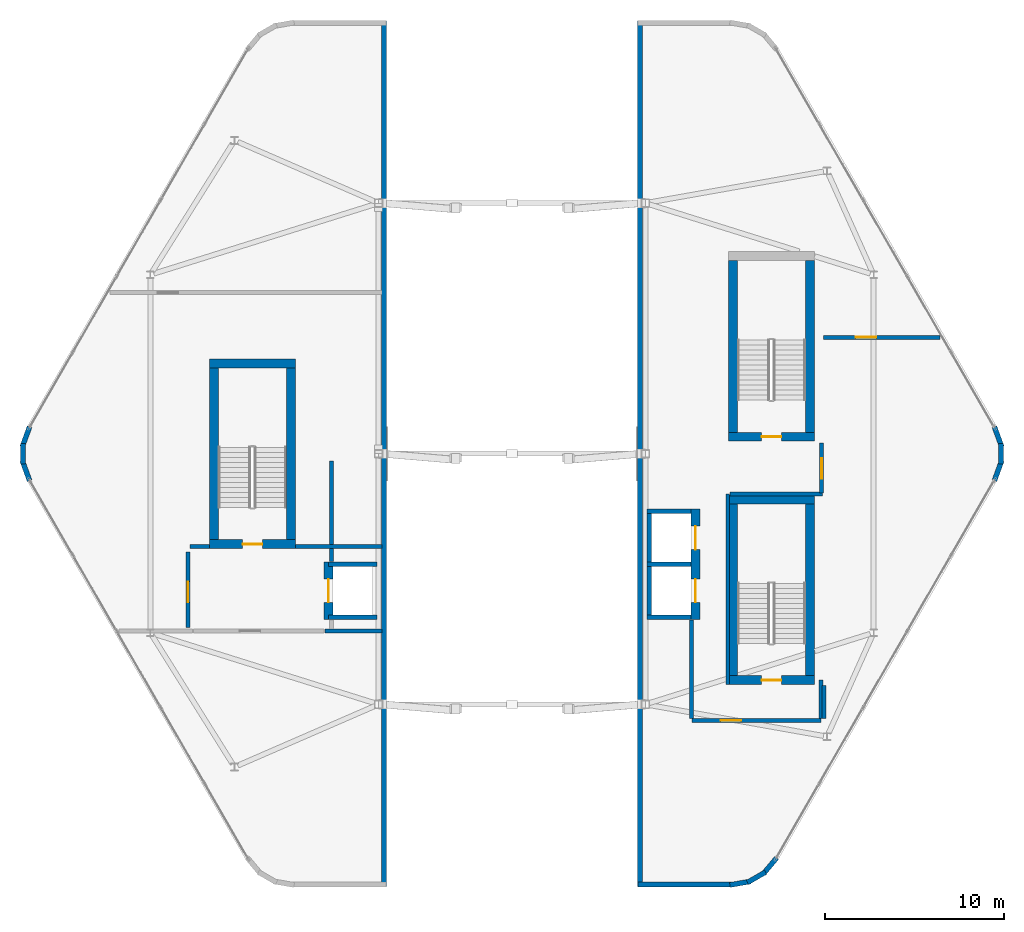
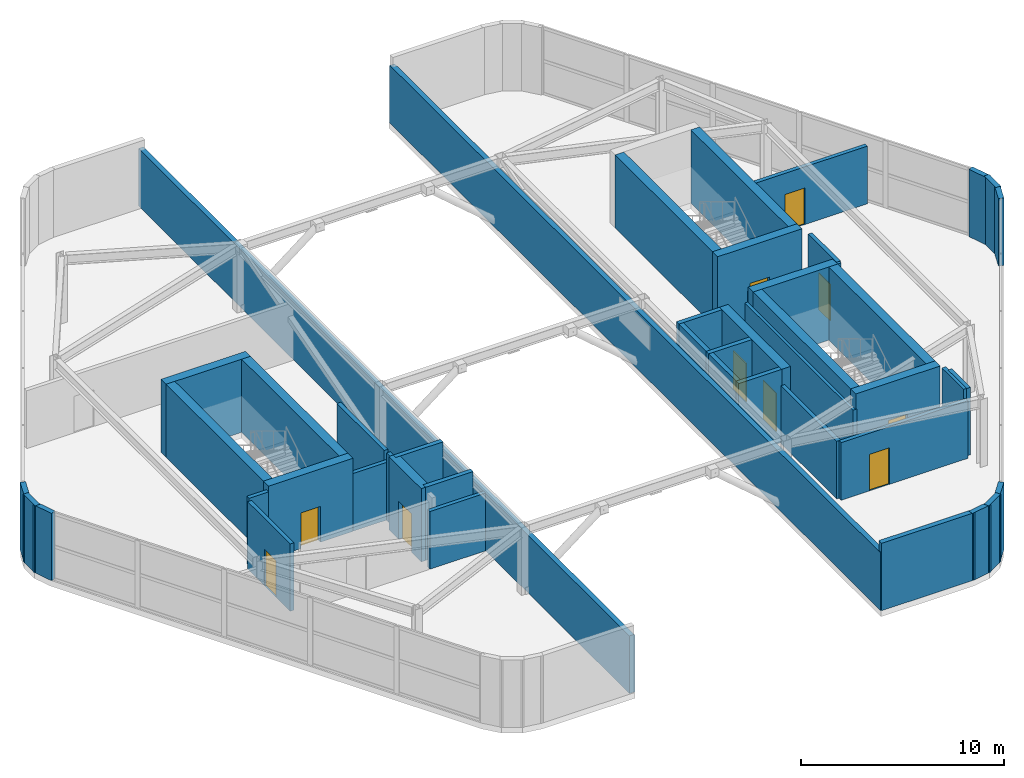
# One storey, part 14 of 16: 46 walls, 10 doors, 10 openings.
"""IFC4 building model written with IfcOpenShell, lengths in metres."""

import ifcopenshell
import ifcopenshell.guid

model = None  # the IFC model being written
_history = None  # IfcOwnerHistory: only IFC2X3 demands one
_inside = {}  # id of a spatial element -> (the spatial element, [elements in it])
_under = {}  # id of a project, library or spatial element -> (it, [spatial elements below it])
_declared = {}  # id of a project -> (the project, [libraries it declares])
_typed = {}  # id of a type object -> (the type object, [elements of that type])
_made_of = {}  # id of a material, layer set ... -> (it, [elements and type objects made of it])


def new_model(schema):
    """Start an empty IFC model of exactly this schema.

    Asked for "IFC4X3", IfcOpenShell would pick the latest addendum, in which some entities
    have other attributes; the version numbers below select the first issue.
    IFC2X3 requires an IfcOwnerHistory on every rooted entity: one is made here for all.
    """
    global model, _history
    if schema == "IFC4X3":
        model = ifcopenshell.file(schema_version=(4, 3, 0, 0))
    else:
        model = ifcopenshell.file(schema=schema)
    _inside.clear()
    _under.clear()
    _declared.clear()
    _typed.clear()
    _made_of.clear()
    _history = None
    if model.schema == "IFC2X3":
        org = make("IfcOrganization", Name="unknown")
        user = make(
            "IfcPersonAndOrganization",
            ThePerson=make("IfcPerson", FamilyName="unknown"),
            TheOrganization=org,
        )
        app = make(
            "IfcApplication",
            ApplicationDeveloper=org,
            Version="unknown",
            ApplicationFullName="unknown",
            ApplicationIdentifier="unknown",
        )
        _history = make(
            "IfcOwnerHistory",
            OwningUser=user,
            OwningApplication=app,
            ChangeAction="ADDED",
            CreationDate=0,
        )
    return model


def make(cls, **values):
    """One entity of the class cls with the attributes given. An attribute that is None is left unset."""
    return model.create_entity(
        cls, **{name: value for name, value in values.items() if value is not None}
    )


def rooted(cls, **values):
    """An entity with a GlobalId (a new one), such as an element, a storey or a relation."""
    return make(cls, GlobalId=ifcopenshell.guid.new(), OwnerHistory=_history, **values)


def si_unit(unit_type, name, prefix=None):
    """IfcSIUnit, for example si_unit("LENGTHUNIT", "METRE", prefix="MILLI")."""
    return make("IfcSIUnit", UnitType=unit_type, Prefix=prefix, Name=name)


def assignment(units):
    """IfcUnitAssignment: the units of a project."""
    return None if units is None else make("IfcUnitAssignment", Units=units)


def point(xyz):
    """IfcCartesianPoint."""
    return None if xyz is None else make("IfcCartesianPoint", Coordinates=xyz)


def direction(xyz):
    """IfcDirection."""
    return None if xyz is None else make("IfcDirection", DirectionRatios=xyz)


def frame(location, z_axis=None, x_axis=None):
    """IfcAxis2Placement3D, a coordinate frame: its origin and axes. An axis left out is left unset."""
    return make(
        "IfcAxis2Placement3D",
        Location=point(location),
        Axis=direction(z_axis),
        RefDirection=direction(x_axis),
    )


def frame_2d(location, x_axis=None):
    """IfcAxis2Placement2D, a coordinate frame in the plane: its origin and x axis."""
    return make(
        "IfcAxis2Placement2D", Location=point(location), RefDirection=direction(x_axis)
    )


def origin():
    """The frame at (0, 0, 0) with its axes left unset."""
    return frame((0.0, 0.0, 0.0))


def place(relative_to, where):
    """IfcLocalPlacement: puts the frame where relative to a parent placement (None: the world)."""
    return make(
        "IfcLocalPlacement", PlacementRelTo=relative_to, RelativePlacement=where
    )


def context(
    kind, dimensions, precision=None, world=None, true_north=None, identifier=None
):
    """IfcGeometricRepresentationContext, for example the 3D "Model" context."""
    return make(
        "IfcGeometricRepresentationContext",
        ContextIdentifier=identifier,
        ContextType=kind,
        CoordinateSpaceDimension=dimensions,
        Precision=precision,
        WorldCoordinateSystem=world,
        TrueNorth=true_north,
    )


def subcontext(parent, identifier, kind, view, scale=None):
    """IfcGeometricRepresentationSubContext, for example "Body" below "Model"."""
    return make(
        "IfcGeometricRepresentationSubContext",
        ContextIdentifier=identifier,
        ContextType=kind,
        ParentContext=parent,
        TargetScale=scale,
        TargetView=view,
    )


def project(units=None, contexts=None):
    """IfcProject with its units and contexts."""
    return rooted(
        "IfcProject",
        Name="project",
        RepresentationContexts=contexts,
        UnitsInContext=assignment(units),
    )


def spatial(cls, under=None, at=None, **own):
    """A site, building, storey or space (cls), placed at a placement, below another one or the project."""
    s = rooted(cls, ObjectPlacement=at, **own)
    if under is not None:
        _under.setdefault(under.id(), (under, []))[1].append(s)
    return s


def profile(cls, at=None, kind="AREA", **sizes):
    """A parametric profile (cls). Its sizes go by their IFC names, for example OverallWidth=200.0."""
    return make(cls, ProfileType=kind, Position=at, **sizes)


def rectangle(**sizes):
    """IfcRectangleProfileDef."""
    return profile("IfcRectangleProfileDef", **sizes)


def extrude(swept, where, along, depth):
    """IfcExtrudedAreaSolid: the profile swept, set in the frame where, extruded along a direction by depth."""
    return make(
        "IfcExtrudedAreaSolid",
        SweptArea=swept,
        Position=where,
        ExtrudedDirection=direction(along),
        Depth=depth,
    )


def shape(context_of_items, identifier, shape_type, items):
    """IfcShapeRepresentation: the items that make up one representation, for example the "Body"."""
    return make(
        "IfcShapeRepresentation",
        ContextOfItems=context_of_items,
        RepresentationIdentifier=identifier,
        RepresentationType=shape_type,
        Items=items,
    )


def material(Name=None, Category=None):
    """IfcMaterial."""
    return make("IfcMaterial", Name=Name, Category=Category)


def layer(
    of_material, thickness, ventilated=None, Name=None, Category=None, Priority=None
):
    """IfcMaterialLayer: one layer of a wall or slab, of a material (None: an air gap)."""
    return make(
        "IfcMaterialLayer",
        Material=of_material,
        LayerThickness=thickness,
        IsVentilated=ventilated,
        Name=Name,
        Category=Category,
        Priority=Priority,
    )


def layer_set(layers, Name=None):
    """IfcMaterialLayerSet."""
    return make("IfcMaterialLayerSet", MaterialLayers=layers, LayerSetName=Name)


def made_of(thing, what):
    """Note that an element or type object is made of a material, layer set ...; save() writes the relation."""
    if what is not None:
        _made_of.setdefault(what.id(), (what, []))[1].append(thing)
    return thing


def type_object(cls, material=None, **own):
    """A type object (cls), such as IfcWallType, which elements share."""
    return made_of(rooted(cls, **own), material)


def element(
    cls,
    number,
    at=None,
    inside=None,
    cuts=None,
    type_object=None,
    material=None,
    context=None,
    identifier="Body",
    shape_type=None,
    held_by="IfcProductDefinitionShape",
    body=None,
    shapes=None,
    **own,
):
    """One element of the class cls, such as IfcWall. Its Tag is "e" and its number.

    at: its placement. inside: the storey or other place that contains it. cuts: it is an
    opening in that element (IfcRelVoidsElement). A single representation is given by context,
    identifier, shape_type and body (its items); several are given by shapes. held_by: the class
    of the entity that holds the representations. save() writes the other relations.
    """
    e = rooted(cls, Tag="e%d" % number, ObjectPlacement=at, **own)
    if body is not None:
        shapes = [shape(context, identifier, shape_type, body)]
    if shapes is not None:
        e.Representation = make(held_by, Representations=shapes)
    if inside is not None:
        _inside.setdefault(inside.id(), (inside, []))[1].append(e)
    if cuts is not None:
        rooted(
            "IfcRelVoidsElement", RelatingBuildingElement=cuts, RelatedOpeningElement=e
        )
    if type_object is not None:
        _typed.setdefault(type_object.id(), (type_object, []))[1].append(e)
    return made_of(e, material)


def fill(opening, filler):
    """IfcRelFillsElement: the door or window that sits in an opening."""
    return rooted(
        "IfcRelFillsElement",
        RelatingOpeningElement=opening,
        RelatedBuildingElement=filler,
    )


def aggregate(whole, parts):
    """IfcRelAggregates: a whole, such as a stair, and the parts it consists of."""
    return rooted("IfcRelAggregates", RelatingObject=whole, RelatedObjects=parts)


def save(model, path):
    """Write the relations noted so far, then the file.

    IfcRelAggregates (storeys below a building ...), IfcRelContainedInSpatialStructure (elements
    in a storey), IfcRelDefinesByType, IfcRelAssociatesMaterial and IfcRelDeclares: one each for
    every whole, place, type object, material and project.
    """
    for whole, parts in _under.values():
        aggregate(whole, parts)
    for where, things in _inside.values():
        rooted(
            "IfcRelContainedInSpatialStructure",
            RelatedElements=things,
            RelatingStructure=where,
        )
    for kind, things in _typed.values():
        rooted("IfcRelDefinesByType", RelatedObjects=things, RelatingType=kind)
    for what, things in _made_of.values():
        rooted("IfcRelAssociatesMaterial", RelatedObjects=things, RelatingMaterial=what)
    for by, libraries in _declared.values():
        rooted("IfcRelDeclares", RelatingContext=by, RelatedDefinitions=libraries)
    model.write(path)


model = new_model("IFC4")

# Units and contexts
model_context = context("Model", 3, precision=1e-05, world=origin(), true_north=direction((0.0, 1.0)))
body_context = subcontext(model_context, "Body", "Model", "MODEL_VIEW")
ifc_project = project(units=[si_unit("LENGTHUNIT", "METRE"), si_unit("AREAUNIT", "SQUARE_METRE"), si_unit("VOLUMEUNIT", "CUBIC_METRE"), si_unit("PLANEANGLEUNIT", "RADIAN"), si_unit("MASSUNIT", "GRAM", prefix="KILO")], contexts=[model_context])

# Site, building, storey
site_placement = place(None, origin())
site = spatial("IfcSite", under=ifc_project, at=site_placement, CompositionType="ELEMENT")
building_placement = place(site_placement, origin())
building = spatial("IfcBuilding", under=site, at=building_placement, Name="Zuhravey Tower", CompositionType="ELEMENT")
storey_placement = place(building_placement, frame((0.0, 0.0, 370.199951171875)))
storey = spatial("IfcBuildingStorey", under=building, at=storey_placement, Name="L94", CompositionType="ELEMENT", Elevation=370.199951171875)

# Wall, opening, door
ifc_material_1 = material(Name="Concrete C50/60", Category="concrete")
ifc_layer_1 = layer(ifc_material_1, 0.5)
ifc_layer_set_1 = layer_set([ifc_layer_1], Name="Concrete C50/60")
wall_type_1 = type_object("IfcWallType", Name="Core Shear Wall 500", PredefinedType="SHEAR", material=ifc_layer_set_1)
wall_1_placement = place(storey_placement, frame((19.10009765625, 26.949951171875, 0.0), z_axis=(0.0, 0.0, 1.0), x_axis=(1.0, 0.0, 0.0)))
wall_1 = element("IfcWall", 1, at=wall_1_placement, inside=storey, type_object=wall_type_1, Name="L94 CST1 South Shaft Wall", PredefinedType="SHEAR", context=body_context, shape_type="SweptSolid", body=[
    extrude(rectangle(XDim=4.7998046875, YDim=0.5, at=frame_2d((2.39990234375, 0.0))), origin(), (0.0, 0.0, 1.0), 4.400146484375),
])
opening_1_placement = place(wall_1_placement, frame((1.85009765625, 0.0, 0.0)))
opening_1 = element("IfcOpeningElement", 2, at=opening_1_placement, cuts=wall_1, Name="Opening STD1", PredefinedType="OPENING", context=body_context, shape_type="SweptSolid", body=[
    extrude(rectangle(XDim=1.10009765625, YDim=2.14990234375, at=frame_2d((0.550048828125, 1.074951171875))), frame((0.0, 0.261962890625, 0.0), z_axis=(0.0, -1.0, 0.0), x_axis=(1.0, 0.0, 0.0)), (0.0, 0.0, 1.0), 0.52392578125),
])
ifc_material_2 = material(Name="Galvanised fire-rated steel leaf", Category="steel")
door_type_1 = type_object("IfcDoorType", Name="Protected Stair Fire Door 1100x2150", OperationType="NOTDEFINED", PredefinedType="USERDEFINED", material=ifc_material_2)
door_1_placement = place(opening_1_placement, origin())
door_1 = element("IfcDoor", 3, at=door_1_placement, inside=storey, type_object=door_type_1, Name="L94 CST1 Door", ObjectType="EXITDOOR", OperationType="SINGLE_SWING_RIGHT", OverallHeight=2.14990234375, OverallWidth=1.10009765625, PredefinedType="USERDEFINED", context=body_context, shape_type="SweptSolid", body=[
    extrude(rectangle(XDim=1.10009765625, YDim=2.14990234375, at=frame_2d((0.550048828125, 1.074951171875))), frame((0.0, 0.02490234375, 0.0), z_axis=(0.0, -1.0, 0.0), x_axis=(1.0, 0.0, 0.0)), (0.0, 0.0, 1.0), 0.050048828125),
])
fill(opening_1, door_1)

# Walls
wall_2_placement = place(storey_placement, frame((23.89990234375, 37.050048828125, 0.0), z_axis=(0.0, 0.0, 1.0), x_axis=(-1.0, 0.0, 0.0)))
element("IfcWall", 4, at=wall_2_placement, inside=storey, type_object=wall_type_1, Name="L94 CST1 North Shaft Wall", PredefinedType="SHEAR", context=body_context, shape_type="SweptSolid", body=[
    extrude(rectangle(XDim=4.7998046875, YDim=0.5, at=frame_2d((2.39990234375, 0.0))), origin(), (0.0, 0.0, 1.0), 4.400146484375),
])
for number, where, z_axis, x_axis, name in (
    (5, (19.35009765625, 27.199951171875, 0.0), (0.0, 0.0, 1.0), (0.0, 1.0, 0.0), "L94 CST1 West Shaft Wall"),
    (6, (23.64990234375, 36.800048828125, 0.0), (0.0, 0.0, 1.0), (0.0, -1.0, 0.0), "L94 CST1 East Shaft Wall"),
):
    element("IfcWall", number, at=place(storey_placement, frame(where, z_axis=z_axis, x_axis=x_axis)), inside=storey, type_object=wall_type_1, Name=name, PredefinedType="SHEAR", context=body_context, shape_type="SweptSolid", body=[
        extrude(rectangle(XDim=9.60009765625, YDim=0.5, at=frame_2d((4.800048828125, 0.0))), origin(), (0.0, 0.0, 1.0), 4.400146484375),
    ])

# Wall, opening, door
wall_3_placement = place(storey_placement, frame((48.10009765625, 19.35009765625, 0.0), z_axis=(0.0, 0.0, 1.0), x_axis=(1.0, 0.0, 0.0)))
wall_3 = element("IfcWall", 7, at=wall_3_placement, inside=storey, type_object=wall_type_1, Name="L94 CST2 South Shaft Wall", PredefinedType="SHEAR", context=body_context, shape_type="SweptSolid", body=[
    extrude(rectangle(XDim=4.7998046875, YDim=0.5, at=frame_2d((2.39990234375, 0.0))), origin(), (0.0, 0.0, 1.0), 4.400146484375),
])
opening_2_placement = place(wall_3_placement, frame((1.85009765625, 0.0, 0.0)))
opening_2 = element("IfcOpeningElement", 8, at=opening_2_placement, cuts=wall_3, Name="Opening STD1", PredefinedType="OPENING", context=body_context, shape_type="SweptSolid", body=[
    extrude(rectangle(XDim=1.10009765625, YDim=2.14990234375, at=frame_2d((0.550048828125, 1.074951171875))), frame((0.0, 0.261962890625, 0.0), z_axis=(0.0, -1.0, 0.0), x_axis=(1.0, 0.0, 0.0)), (0.0, 0.0, 1.0), 0.52392578125),
])
door_2_placement = place(opening_2_placement, origin())
door_2 = element("IfcDoor", 9, at=door_2_placement, inside=storey, type_object=door_type_1, Name="L94 CST2 Door", ObjectType="EXITDOOR", OperationType="SINGLE_SWING_LEFT", OverallHeight=2.14990234375, OverallWidth=1.10009765625, PredefinedType="USERDEFINED", context=body_context, shape_type="SweptSolid", body=[
    extrude(rectangle(XDim=1.10009765625, YDim=2.14990234375, at=frame_2d((0.550048828125, 1.074951171875))), frame((0.0, 0.02490234375, 0.0), z_axis=(0.0, -1.0, 0.0), x_axis=(1.0, 0.0, 0.0)), (0.0, 0.0, 1.0), 0.050048828125),
])
fill(opening_2, door_2)

# Walls
wall_4_placement = place(storey_placement, frame((52.89990234375, 29.449951171875, 0.0), z_axis=(0.0, 0.0, 1.0), x_axis=(-1.0, 0.0, 0.0)))
element("IfcWall", 10, at=wall_4_placement, inside=storey, type_object=wall_type_1, Name="L94 CST2 North Shaft Wall", PredefinedType="SHEAR", context=body_context, shape_type="SweptSolid", body=[
    extrude(rectangle(XDim=4.7998046875, YDim=0.5, at=frame_2d((2.39990234375, 0.0))), origin(), (0.0, 0.0, 1.0), 4.400146484375),
])
for number, where, z_axis, x_axis, name in (
    (11, (48.35009765625, 19.60009765625, 0.0), (0.0, 0.0, 1.0), (0.0, 1.0, 0.0), "L94 CST2 West Shaft Wall"),
    (12, (52.64990234375, 29.199951171875, 0.0), (0.0, 0.0, 1.0), (0.0, -1.0, 0.0), "L94 CST2 East Shaft Wall"),
):
    element("IfcWall", number, at=place(storey_placement, frame(where, z_axis=z_axis, x_axis=x_axis)), inside=storey, type_object=wall_type_1, Name=name, PredefinedType="SHEAR", context=body_context, shape_type="SweptSolid", body=[
        extrude(rectangle(XDim=9.599853515625, YDim=0.5, at=frame_2d((4.7998046875, 0.0))), origin(), (0.0, 0.0, 1.0), 4.400146484375),
    ])

# Wall, opening, door
wall_5_placement = place(storey_placement, frame((48.10009765625, 32.949951171875, 0.0), z_axis=(0.0, 0.0, 1.0), x_axis=(1.0, 0.0, 0.0)))
wall_5 = element("IfcWall", 13, at=wall_5_placement, inside=storey, type_object=wall_type_1, Name="L94 CST3 South Shaft Wall", PredefinedType="SHEAR", context=body_context, shape_type="SweptSolid", body=[
    extrude(rectangle(XDim=4.7998046875, YDim=0.5, at=frame_2d((2.39990234375, 0.0))), origin(), (0.0, 0.0, 1.0), 4.400146484375),
])
opening_3_placement = place(wall_5_placement, frame((1.85009765625, 0.0, 0.0)))
opening_3 = element("IfcOpeningElement", 14, at=opening_3_placement, cuts=wall_5, Name="Opening STD1", PredefinedType="OPENING", context=body_context, shape_type="SweptSolid", body=[
    extrude(rectangle(XDim=1.10009765625, YDim=2.14990234375, at=frame_2d((0.550048828125, 1.074951171875))), frame((0.0, 0.261962890625, 0.0), z_axis=(0.0, -1.0, 0.0), x_axis=(1.0, 0.0, 0.0)), (0.0, 0.0, 1.0), 0.52392578125),
])
door_3_placement = place(opening_3_placement, origin())
door_3 = element("IfcDoor", 15, at=door_3_placement, inside=storey, type_object=door_type_1, Name="L94 CST3 Door", ObjectType="EXITDOOR", OperationType="SINGLE_SWING_RIGHT", OverallHeight=2.14990234375, OverallWidth=1.10009765625, PredefinedType="USERDEFINED", context=body_context, shape_type="SweptSolid", body=[
    extrude(rectangle(XDim=1.10009765625, YDim=2.14990234375, at=frame_2d((0.550048828125, 1.074951171875))), frame((0.0, 0.02490234375, 0.0), z_axis=(0.0, -1.0, 0.0), x_axis=(1.0, 0.0, 0.0)), (0.0, 0.0, 1.0), 0.050048828125),
])
fill(opening_3, door_3)

# Walls
for number, where, z_axis, x_axis, name in (
    (16, (48.35009765625, 33.199951171875, 0.0), (0.0, 0.0, 1.0), (0.0, 1.0, 0.0), "L94 CST3 West Shaft Wall"),
    (17, (52.64990234375, 42.800048828125, 0.0), (0.0, 0.0, 1.0), (0.0, -1.0, 0.0), "L94 CST3 East Shaft Wall"),
):
    element("IfcWall", number, at=place(storey_placement, frame(where, z_axis=z_axis, x_axis=x_axis)), inside=storey, type_object=wall_type_1, Name=name, PredefinedType="SHEAR", context=body_context, shape_type="SweptSolid", body=[
        extrude(rectangle(XDim=9.60009765625, YDim=0.5, at=frame_2d((4.800048828125, 0.0))), origin(), (0.0, 0.0, 1.0), 4.400146484375),
    ])

# Wall, opening, door
wall_6_placement = place(storey_placement, frame((25.75, 22.75, 0.0), z_axis=(0.0, 0.0, 1.0), x_axis=(0.0, 1.0, 0.0)))
wall_6 = element("IfcWall", 18, at=wall_6_placement, inside=storey, type_object=wall_type_1, Name="L94 West Crest FF1 Shear Wall", PredefinedType="SHEAR", context=body_context, shape_type="SweptSolid", body=[
    extrude(rectangle(XDim=3.199951171875, YDim=0.5, at=frame_2d((1.60009765625, 0.0))), origin(), (0.0, 0.0, 1.0), 4.400146484375),
])
opening_4_placement = place(wall_6_placement, frame((0.949951171875, 0.0, 0.0)))
opening_4 = element("IfcOpeningElement", 19, at=opening_4_placement, cuts=wall_6, Name="Opening LD2", PredefinedType="OPENING", context=body_context, shape_type="SweptSolid", body=[
    extrude(rectangle(XDim=1.300048828125, YDim=2.300048828125, at=frame_2d((0.64990234375, 1.14990234375))), frame((0.0, 0.261962890625, 0.0), z_axis=(0.0, -1.0, 0.0), x_axis=(1.0, 0.0, 0.0)), (0.0, 0.0, 1.0), 0.52392578125),
])
ifc_material_3 = material(Name="Brushed stainless steel", Category="steel")
door_type_2 = type_object("IfcDoorType", Name="Freight & Stretcher Lift Sliding Door 1300x2300", OperationType="DOUBLE_DOOR_SLIDING", PredefinedType="DOOR", material=ifc_material_3)
door_4_placement = place(opening_4_placement, origin())
door_4 = element("IfcDoor", 20, at=door_4_placement, inside=storey, type_object=door_type_2, Name="L94 Lift FF1 Crown Landing Door", OperationType="DOUBLE_DOOR_SLIDING", OverallHeight=2.300048828125, OverallWidth=1.300048828125, PredefinedType="DOOR", context=body_context, shape_type="SweptSolid", body=[
    extrude(rectangle(XDim=1.300048828125, YDim=2.300048828125, at=frame_2d((0.64990234375, 1.14990234375))), frame((0.0, 0.02490234375, 0.0), z_axis=(0.0, -1.0, 0.0), x_axis=(1.0, 0.0, 0.0)), (0.0, 0.0, 1.0), 0.050048828125),
])
fill(opening_4, door_4)

# Wall, openings, doors
wall_7_placement = place(storey_placement, frame((46.25, 22.75, 0.0), z_axis=(0.0, 0.0, 1.0), x_axis=(0.0, 1.0, 0.0)))
wall_7 = element("IfcWall", 21, at=wall_7_placement, inside=storey, type_object=wall_type_1, Name="L94 East Crest FF2 Shear Wall", PredefinedType="SHEAR", context=body_context, shape_type="SweptSolid", body=[
    extrude(rectangle(XDim=6.14990234375, YDim=0.5, at=frame_2d((3.074951171875, 0.0))), origin(), (0.0, 0.0, 1.0), 4.400146484375),
])
opening_5_placement = place(wall_7_placement, frame((0.949951171875, 0.0, 0.0)))
opening_5 = element("IfcOpeningElement", 22, at=opening_5_placement, cuts=wall_7, Name="Opening LD2", PredefinedType="OPENING", context=body_context, shape_type="SweptSolid", body=[
    extrude(rectangle(XDim=1.300048828125, YDim=2.300048828125, at=frame_2d((0.64990234375, 1.14990234375))), frame((0.0, 0.261962890625, 0.0), z_axis=(0.0, -1.0, 0.0), x_axis=(1.0, 0.0, 0.0)), (0.0, 0.0, 1.0), 0.52392578125),
])
opening_6_placement = place(wall_7_placement, frame((3.89990234375, 0.0, 0.0)))
opening_6 = element("IfcOpeningElement", 23, at=opening_6_placement, cuts=wall_7, Name="Opening LD2", PredefinedType="OPENING", context=body_context, shape_type="SweptSolid", body=[
    extrude(rectangle(XDim=1.300048828125, YDim=2.300048828125, at=frame_2d((0.64990234375, 1.14990234375))), frame((0.0, 0.261962890625, 0.0), z_axis=(0.0, -1.0, 0.0), x_axis=(1.0, 0.0, 0.0)), (0.0, 0.0, 1.0), 0.52392578125),
])
door_5_placement = place(opening_5_placement, frame((1.300048828125, 0.0, 0.0), z_axis=(0.0, 0.0, 1.0), x_axis=(-1.0, 0.0, 0.0)))
door_5 = element("IfcDoor", 24, at=door_5_placement, inside=storey, type_object=door_type_2, Name="L94 Lift FF2 Crown Landing Door", OperationType="DOUBLE_DOOR_SLIDING", OverallHeight=2.300048828125, OverallWidth=1.300048828125, PredefinedType="DOOR", context=body_context, shape_type="SweptSolid", body=[
    extrude(rectangle(XDim=1.300048828125, YDim=2.300048828125, at=frame_2d((0.64990234375, 1.14990234375))), frame((0.0, 0.02490234375, 0.0), z_axis=(0.0, -1.0, 0.0), x_axis=(1.0, 0.0, 0.0)), (0.0, 0.0, 1.0), 0.050048828125),
])
fill(opening_5, door_5)
door_6_placement = place(opening_6_placement, frame((1.300048828125, 0.0, 0.0), z_axis=(0.0, 0.0, 1.0), x_axis=(-1.0, 0.0, 0.0)))
door_6 = element("IfcDoor", 25, at=door_6_placement, inside=storey, type_object=door_type_2, Name="L94 Lift SV1 Crown Landing Door", OperationType="DOUBLE_DOOR_SLIDING", OverallHeight=2.300048828125, OverallWidth=1.300048828125, PredefinedType="DOOR", context=body_context, shape_type="SweptSolid", body=[
    extrude(rectangle(XDim=1.300048828125, YDim=2.300048828125, at=frame_2d((0.64990234375, 1.14990234375))), frame((0.0, 0.02490234375, 0.0), z_axis=(0.0, -1.0, 0.0), x_axis=(1.0, 0.0, 0.0)), (0.0, 0.0, 1.0), 0.050048828125),
])
fill(opening_6, door_6)

# Walls
ifc_material_4 = material(Name="Precast concrete C40/50", Category="concrete")
ifc_layer_2 = layer(ifc_material_4, 0.280029296875)
ifc_layer_set_2 = layer_set([ifc_layer_2], Name="Precast concrete C40/50")
wall_type_2 = type_object("IfcWallType", Name="Crown Architectural Wall 280", PredefinedType="SOLIDWALL", material=ifc_layer_set_2)
wall_8_placement = place(storey_placement, frame((9.051513671875, 30.4951171875, 0.0), z_axis=(0.0, 0.0, 1.0), x_axis=(-0.342042645118, 0.939684430498, 0.0)))
element("IfcWall", 26, at=wall_8_placement, inside=storey, type_object=wall_type_2, Name="L94 WEST Crest Wall EW28-05", PredefinedType="SOLIDWALL", context=body_context, shape_type="SweptSolid", body=[
    extrude(rectangle(XDim=1.177734375, YDim=0.280029296875, at=frame_2d((0.5888671875, 0.0))), origin(), (0.0, 0.0, 1.0), 4.050048828125),
])
wall_9_placement = place(storey_placement, frame((8.68115234375, 31.41748046875, 0.0), z_axis=(0.0, 0.0, 1.0), x_axis=(0.0, 1.0, 0.0)))
element("IfcWall", 27, at=wall_9_placement, inside=storey, type_object=wall_type_2, Name="L94 WEST Crest Wall EW28-06", PredefinedType="SOLIDWALL", context=body_context, shape_type="SweptSolid", body=[
    extrude(rectangle(XDim=1.1650390625, YDim=0.280029296875, at=frame_2d((0.58251953125, 0.0))), origin(), (0.0, 0.0, 1.0), 4.050048828125),
])
wall_10_placement = place(storey_placement, frame((8.648681640625, 32.398193359375, 0.0), z_axis=(0.0, 0.0, 1.0), x_axis=(0.342042645118, 0.939684430498, 0.0)))
element("IfcWall", 28, at=wall_10_placement, inside=storey, type_object=wall_type_2, Name="L94 WEST Crest Wall EW28-07", PredefinedType="SOLIDWALL", context=body_context, shape_type="SweptSolid", body=[
    extrude(rectangle(XDim=1.177734375, YDim=0.280029296875, at=frame_2d((0.5888671875, 0.0))), origin(), (0.0, 0.0, 1.0), 4.050048828125),
])
wall_11_placement = place(storey_placement, frame((28.860107421875, 56.169189453125, 0.0), z_axis=(0.0, 0.0, 1.0), x_axis=(0.0, -1.0, 0.0)))
element("IfcWall", 29, at=wall_11_placement, inside=storey, type_object=wall_type_2, Name="L94 WEST Crest Wall EW28-13", PredefinedType="SOLIDWALL", context=body_context, shape_type="SweptSolid", body=[
    extrude(rectangle(XDim=48.33837890625, YDim=0.280029296875, at=frame_2d((24.169189453125, 0.0))), origin(), (0.0, 0.0, 1.0), 3.465087890625),
])
wall_12_placement = place(storey_placement, frame((62.948486328125, 33.5048828125, 0.0), z_axis=(0.0, 0.0, 1.0), x_axis=(0.342042645118, -0.939684430498, 0.0)))
element("IfcWall", 30, at=wall_12_placement, inside=storey, type_object=wall_type_2, Name="L94 EAST Crest Wall EW28-05", PredefinedType="SOLIDWALL", context=body_context, shape_type="SweptSolid", body=[
    extrude(rectangle(XDim=1.177734375, YDim=0.280029296875, at=frame_2d((0.5888671875, 0.0))), origin(), (0.0, 0.0, 1.0), 4.050048828125),
])
wall_13_placement = place(storey_placement, frame((63.31884765625, 32.58251953125, 0.0), z_axis=(0.0, 0.0, 1.0), x_axis=(0.0, -1.0, 0.0)))
element("IfcWall", 31, at=wall_13_placement, inside=storey, type_object=wall_type_2, Name="L94 EAST Crest Wall EW28-06", PredefinedType="SOLIDWALL", context=body_context, shape_type="SweptSolid", body=[
    extrude(rectangle(XDim=1.1650390625, YDim=0.280029296875, at=frame_2d((0.58251953125, 0.0))), origin(), (0.0, 0.0, 1.0), 4.050048828125),
])
for number, where, z_axis, x_axis, name in (
    (32, (63.351318359375, 31.601806640625, 0.0), (0.0, 0.0, 1.0), (-0.342042645118, -0.939684430498, 0.0), "L94 EAST Crest Wall EW28-07"),
    (33, (50.777587890625, 9.414306640625, 0.0), (0.0, 0.0, 1.0), (-0.642851701012, -0.765990659542, 0.0), "L94 EAST Crest Wall EW28-09"),
):
    element("IfcWall", number, at=place(storey_placement, frame(where, z_axis=z_axis, x_axis=x_axis)), inside=storey, type_object=wall_type_2, Name=name, PredefinedType="SOLIDWALL", context=body_context, shape_type="SweptSolid", body=[
        extrude(rectangle(XDim=1.177734375, YDim=0.280029296875, at=frame_2d((0.5888671875, 0.0))), origin(), (0.0, 0.0, 1.0), 4.050048828125),
    ])
wall_14_placement = place(storey_placement, frame((50.163818359375, 8.632568359375, 0.0), z_axis=(0.0, 0.0, 1.0), x_axis=(-0.865951785477, -0.500127488975, 0.0)))
element("IfcWall", 34, at=wall_14_placement, inside=storey, type_object=wall_type_2, Name="L94 EAST Crest Wall EW28-10", PredefinedType="SOLIDWALL", context=body_context, shape_type="SweptSolid", body=[
    extrude(rectangle(XDim=1.165283203125, YDim=0.280029296875, at=frame_2d((0.58251953125, 0.0))), origin(), (0.0, 0.0, 1.0), 4.050048828125),
])
wall_15_placement = place(storey_placement, frame((49.330810546875, 8.114013671875, 0.0), z_axis=(0.0, 0.0, 1.0), x_axis=(-0.984798162481, -0.173702559495, 0.0)))
element("IfcWall", 35, at=wall_15_placement, inside=storey, type_object=wall_type_2, Name="L94 EAST Crest Wall EW28-11", PredefinedType="SOLIDWALL", context=body_context, shape_type="SweptSolid", body=[
    extrude(rectangle(XDim=1.177734375, YDim=0.280029296875, at=frame_2d((0.5888671875, 0.0))), origin(), (0.0, 0.0, 1.0), 4.050048828125),
])
wall_16_placement = place(storey_placement, frame((48.359619140625, 7.92578125, 0.0), z_axis=(0.0, 0.0, 1.0), x_axis=(-1.0, 0.0, 0.0)))
element("IfcWall", 36, at=wall_16_placement, inside=storey, type_object=wall_type_2, Name="L94 EAST Crest Wall EW28-12", PredefinedType="SOLIDWALL", context=body_context, shape_type="SweptSolid", body=[
    extrude(rectangle(XDim=5.314697265625, YDim=0.280029296875, at=frame_2d((2.6572265625, 0.0))), origin(), (0.0, 0.0, 1.0), 4.050048828125),
])
wall_17_placement = place(storey_placement, frame((43.139892578125, 7.830810546875, 0.0), z_axis=(0.0, 0.0, 1.0), x_axis=(0.0, 1.0, 0.0)))
element("IfcWall", 37, at=wall_17_placement, inside=storey, type_object=wall_type_2, Name="L94 EAST Crest Wall EW28-13", PredefinedType="SOLIDWALL", context=body_context, shape_type="SweptSolid", body=[
    extrude(rectangle(XDim=48.33837890625, YDim=0.280029296875, at=frame_2d((24.169189453125, 0.0))), origin(), (0.0, 0.0, 1.0), 3.465087890625),
])
ifc_layer_3 = layer(ifc_material_1, 0.25)
ifc_layer_set_3 = layer_set([ifc_layer_3], Name="Concrete C50/60")
wall_type_3 = type_object("IfcWallType", Name="Firefighting Shaft & Stair Wall 250", PredefinedType="SOLIDWALL", material=ifc_layer_set_3)
for number, where, z_axis, x_axis, name in (
    (38, (25.75, 25.824951171875, 0.0), (0.0, 0.0, 1.0), (1.0, 0.0, 0.0), "L94 FW25 Shaft Wall 001"),
    (39, (25.75, 22.875, 0.0), (0.0, 0.0, 1.0), (1.0, 0.0, 0.0), "L94 FW25 Shaft Wall 002"),
):
    element("IfcWall", number, at=place(storey_placement, frame(where, z_axis=z_axis, x_axis=x_axis)), inside=storey, type_object=wall_type_3, Name=name, PredefinedType="SOLIDWALL", context=body_context, shape_type="SweptSolid", body=[
        extrude(rectangle(XDim=2.699951171875, YDim=0.25, at=frame_2d((1.35009765625, 0.0))), origin(), (0.0, 0.0, 1.0), 4.400146484375),
    ])
for number, where, z_axis, x_axis, name in (
    (40, (43.550048828125, 22.875, 0.0), (0.0, 0.0, 1.0), (1.0, 0.0, 0.0), "L94 FW25 Shaft Wall 003"),
    (41, (43.550048828125, 25.824951171875, 0.0), (0.0, 0.0, 1.0), (1.0, 0.0, 0.0), "L94 FW25 Shaft Wall 004"),
):
    element("IfcWall", number, at=place(storey_placement, frame(where, z_axis=z_axis, x_axis=x_axis)), inside=storey, type_object=wall_type_3, Name=name, PredefinedType="SOLIDWALL", context=body_context, shape_type="SweptSolid", body=[
        extrude(rectangle(XDim=2.449951171875, YDim=0.25, at=frame_2d((1.22509765625, 0.0))), origin(), (0.0, 0.0, 1.0), 4.400146484375),
    ])
wall_18_placement = place(storey_placement, frame((43.675048828125, 23.0, 0.0), z_axis=(0.0, 0.0, 1.0), x_axis=(0.0, 1.0, 0.0)))
element("IfcWall", 42, at=wall_18_placement, inside=storey, type_object=wall_type_3, Name="L94 FW25 Shaft Wall 005", PredefinedType="SOLIDWALL", context=body_context, shape_type="SweptSolid", body=[
    extrude(rectangle(XDim=2.699951171875, YDim=0.25, at=frame_2d((1.35009765625, 0.0))), origin(), (0.0, 0.0, 1.0), 4.400146484375),
])
wall_19_placement = place(storey_placement, frame((43.550048828125, 28.77490234375, 0.0), z_axis=(0.0, 0.0, 1.0), x_axis=(1.0, 0.0, 0.0)))
element("IfcWall", 43, at=wall_19_placement, inside=storey, type_object=wall_type_3, Name="L94 FW25 Shaft Wall 006", PredefinedType="SOLIDWALL", context=body_context, shape_type="SweptSolid", body=[
    extrude(rectangle(XDim=2.449951171875, YDim=0.25, at=frame_2d((1.22509765625, 0.0))), origin(), (0.0, 0.0, 1.0), 4.400146484375),
])
wall_20_placement = place(storey_placement, frame((43.675048828125, 25.949951171875, 0.0), z_axis=(0.0, 0.0, 1.0), x_axis=(0.0, 1.0, 0.0)))
element("IfcWall", 44, at=wall_20_placement, inside=storey, type_object=wall_type_3, Name="L94 FW25 Shaft Wall 007", PredefinedType="SOLIDWALL", context=body_context, shape_type="SweptSolid", body=[
    extrude(rectangle(XDim=2.699951171875, YDim=0.25, at=frame_2d((1.35009765625, 0.0))), origin(), (0.0, 0.0, 1.0), 4.400146484375),
])

# Wall, opening, door
ifc_material_5 = material(Name="Gypsum acoustic stud assembly")
ifc_layer_4 = layer(ifc_material_5, 0.219970703125)
ifc_layer_set_4 = layer_set([ifc_layer_4], Name="Gypsum acoustic stud assembly")
wall_type_4 = type_object("IfcWallType", Name="School Acoustic Compartment Wall 220", PredefinedType="PARTITIONING", material=ifc_layer_set_4)
wall_21_placement = place(storey_placement, frame((17.89990234375, 22.300048828125, 0.0), z_axis=(0.0, 0.0, 1.0), x_axis=(0.0, 1.0, 0.0)))
wall_21 = element("IfcWall", 45, at=wall_21_placement, inside=storey, type_object=wall_type_4, Name="L94 IW22 Partition 010", PredefinedType="PARTITIONING", context=body_context, shape_type="SweptSolid", body=[
    extrude(rectangle(XDim=4.199951171875, YDim=0.219970703125, at=frame_2d((2.10009765625, 0.0))), origin(), (0.0, 0.0, 1.0), 4.050048828125),
])
opening_7_placement = place(wall_21_placement, frame((1.39990234375, 0.0, 0.0)))
opening_7 = element("IfcOpeningElement", 46, at=opening_7_placement, cuts=wall_21, Name="Opening CLD1", PredefinedType="OPENING", context=body_context, shape_type="SweptSolid", body=[
    extrude(rectangle(XDim=1.14990234375, YDim=2.199951171875, at=frame_2d((0.574951171875, 1.10009765625))), frame((0.0, 0.1220703125, 0.0), z_axis=(0.0, -1.0, 0.0), x_axis=(1.0, 0.0, 0.0)), (0.0, 0.0, 1.0), 0.243896484375),
])
ifc_material_6 = material(Name="Acoustic timber leaf with vision lite", Category="wood")
door_type_3 = type_object("IfcDoorType", Name="Classroom Acoustic Door 1150x2200", OperationType="NOTDEFINED", PredefinedType="DOOR", material=ifc_material_6)
door_7_placement = place(opening_7_placement, origin())
door_7 = element("IfcDoor", 47, at=door_7_placement, inside=storey, type_object=door_type_3, Name="L94 West Crown Switchgear Plant Door", OperationType="SINGLE_SWING_LEFT", OverallHeight=2.199951171875, OverallWidth=1.14990234375, PredefinedType="DOOR", context=body_context, shape_type="SweptSolid", body=[
    extrude(rectangle(XDim=1.14990234375, YDim=2.199951171875, at=frame_2d((0.574951171875, 1.10009765625))), frame((0.0, 0.02490234375, 0.0), z_axis=(0.0, -1.0, 0.0), x_axis=(1.0, 0.0, 0.0)), (0.0, 0.0, 1.0), 0.050048828125),
])
fill(opening_7, door_7)

wall_22_placement = place(storey_placement, frame((53.39990234375, 38.5, 0.0), z_axis=(0.0, 0.0, 1.0), x_axis=(1.0, 0.0, 0.0)))
wall_22 = element("IfcWall", 48, at=wall_22_placement, inside=storey, type_object=wall_type_4, Name="L94 IW22 Partition 011", PredefinedType="PARTITIONING", context=body_context, shape_type="SweptSolid", body=[
    extrude(rectangle(XDim=6.507080078125, YDim=0.219970703125, at=frame_2d((3.25341796875, 0.0))), origin(), (0.0, 0.0, 1.0), 3.469970703125),
])
opening_8_placement = place(wall_22_placement, frame((1.800048828125, 0.0, 0.0)))
opening_8 = element("IfcOpeningElement", 49, at=opening_8_placement, cuts=wall_22, Name="Opening CLD1", PredefinedType="OPENING", context=body_context, shape_type="SweptSolid", body=[
    extrude(rectangle(XDim=1.14990234375, YDim=2.199951171875, at=frame_2d((0.574951171875, 1.10009765625))), frame((0.0, 0.1220703125, 0.0), z_axis=(0.0, -1.0, 0.0), x_axis=(1.0, 0.0, 0.0)), (0.0, 0.0, 1.0), 0.243896484375),
])
door_8_placement = place(opening_8_placement, origin())
door_8 = element("IfcDoor", 50, at=door_8_placement, inside=storey, type_object=door_type_3, Name="L94 Aviation Beacon Plant Door", OperationType="SINGLE_SWING_RIGHT", OverallHeight=2.199951171875, OverallWidth=1.14990234375, PredefinedType="DOOR", context=body_context, shape_type="SweptSolid", body=[
    extrude(rectangle(XDim=1.14990234375, YDim=2.199951171875, at=frame_2d((0.574951171875, 1.10009765625))), frame((0.0, 0.02490234375, 0.0), z_axis=(0.0, -1.0, 0.0), x_axis=(1.0, 0.0, 0.0)), (0.0, 0.0, 1.0), 0.050048828125),
])
fill(opening_8, door_8)

wall_23_placement = place(storey_placement, frame((46.050048828125, 17.10009765625, 0.0), z_axis=(0.0, 0.0, 1.0), x_axis=(1.0, 0.0, 0.0)))
wall_23 = element("IfcWall", 51, at=wall_23_placement, inside=storey, type_object=wall_type_4, Name="L94 IW22 Partition 012", PredefinedType="PARTITIONING", context=body_context, shape_type="SweptSolid", body=[
    extrude(rectangle(XDim=7.199951171875, YDim=0.219970703125, at=frame_2d((3.60009765625, 0.0))), origin(), (0.0, 0.0, 1.0), 3.469970703125),
])
opening_9_placement = place(wall_23_placement, frame((1.60009765625, 0.0, 0.0)))
opening_9 = element("IfcOpeningElement", 52, at=opening_9_placement, cuts=wall_23, Name="Opening CLD1", PredefinedType="OPENING", context=body_context, shape_type="SweptSolid", body=[
    extrude(rectangle(XDim=1.14990234375, YDim=2.199951171875, at=frame_2d((0.574951171875, 1.10009765625))), frame((0.0, 0.1220703125, 0.0), z_axis=(0.0, -1.0, 0.0), x_axis=(1.0, 0.0, 0.0)), (0.0, 0.0, 1.0), 0.243896484375),
])
door_9_placement = place(opening_9_placement, frame((1.14990234375, 0.0, 0.0), z_axis=(0.0, 0.0, 1.0), x_axis=(-1.0, 0.0, 0.0)))
door_9 = element("IfcDoor", 53, at=door_9_placement, inside=storey, type_object=door_type_3, Name="L94 Emergency Standby Generator Plant Door", OperationType="SINGLE_SWING_LEFT", OverallHeight=2.199951171875, OverallWidth=1.14990234375, PredefinedType="DOOR", context=body_context, shape_type="SweptSolid", body=[
    extrude(rectangle(XDim=1.14990234375, YDim=2.199951171875, at=frame_2d((0.574951171875, 1.10009765625))), frame((0.0, 0.02490234375, 0.0), z_axis=(0.0, -1.0, 0.0), x_axis=(1.0, 0.0, 0.0)), (0.0, 0.0, 1.0), 0.050048828125),
])
fill(opening_9, door_9)

wall_24_placement = place(storey_placement, frame((53.300048828125, 29.800048828125, 0.0), z_axis=(0.0, 0.0, 1.0), x_axis=(0.0, 1.0, 0.0)))
wall_24 = element("IfcWall", 54, at=wall_24_placement, inside=storey, type_object=wall_type_4, Name="L94 IW22 Partition 013", PredefinedType="PARTITIONING", context=body_context, shape_type="SweptSolid", body=[
    extrude(rectangle(XDim=2.800048828125, YDim=0.219970703125, at=frame_2d((1.39990234375, 0.0))), origin(), (0.0, 0.0, 1.0), 4.050048828125),
])
opening_10_placement = place(wall_24_placement, frame((0.800048828125, 0.0, 0.0)))
opening_10 = element("IfcOpeningElement", 55, at=opening_10_placement, cuts=wall_24, Name="Opening CLD1", PredefinedType="OPENING", context=body_context, shape_type="SweptSolid", body=[
    extrude(rectangle(XDim=1.14990234375, YDim=2.199951171875, at=frame_2d((0.574951171875, 1.10009765625))), frame((0.0, 0.1220703125, 0.0), z_axis=(0.0, -1.0, 0.0), x_axis=(1.0, 0.0, 0.0)), (0.0, 0.0, 1.0), 0.243896484375),
])
door_10_placement = place(opening_10_placement, frame((1.14990234375, 0.0, 0.0), z_axis=(0.0, 0.0, 1.0), x_axis=(-1.0, 0.0, 0.0)))
door_10 = element("IfcDoor", 56, at=door_10_placement, inside=storey, type_object=door_type_3, Name="L94 Crown UPS Battery Plant Door", OperationType="SINGLE_SWING_RIGHT", OverallHeight=2.199951171875, OverallWidth=1.14990234375, PredefinedType="DOOR", context=body_context, shape_type="SweptSolid", body=[
    extrude(rectangle(XDim=1.14990234375, YDim=2.199951171875, at=frame_2d((0.574951171875, 1.10009765625))), frame((0.0, 0.02490234375, 0.0), z_axis=(0.0, -1.0, 0.0), x_axis=(1.0, 0.0, 0.0)), (0.0, 0.0, 1.0), 0.050048828125),
])
fill(opening_10, door_10)

# Walls
wall_25_placement = place(storey_placement, frame((25.550048828125, 22.10009765625, 0.0), z_axis=(0.0, 0.0, 1.0), x_axis=(1.0, 0.0, 0.0)))
element("IfcWall", 57, at=wall_25_placement, inside=storey, type_object=wall_type_4, Name="L94 IW22 Partition 015", PredefinedType="PARTITIONING", context=body_context, shape_type="SweptSolid", body=[
    extrude(rectangle(XDim=3.18994140625, YDim=0.219970703125, at=frame_2d((1.594970703125, 0.0))), origin(), (0.0, 0.0, 1.0), 3.469970703125),
])
wall_26_placement = place(storey_placement, frame((28.739990234375, 26.820068359375, 0.0), z_axis=(0.0, 0.0, 1.0), x_axis=(-1.0, 0.0, 0.0)))
element("IfcWall", 58, at=wall_26_placement, inside=storey, type_object=wall_type_4, Name="L94 IW22 Partition 016", PredefinedType="PARTITIONING", context=body_context, shape_type="SweptSolid", body=[
    extrude(rectangle(XDim=4.840087890625, YDim=0.219970703125, at=frame_2d((2.419921875, 0.0))), origin(), (0.0, 0.0, 1.0), 3.469970703125),
])
wall_27_placement = place(storey_placement, frame((19.10009765625, 26.820068359375, 0.0), z_axis=(0.0, 0.0, 1.0), x_axis=(-1.0, 0.0, 0.0)))
element("IfcWall", 59, at=wall_27_placement, inside=storey, type_object=wall_type_4, Name="L94 IW22 Partition 017", PredefinedType="PARTITIONING", context=body_context, shape_type="SweptSolid", body=[
    extrude(rectangle(XDim=1.10009765625, YDim=0.219970703125, at=frame_2d((0.550048828125, 0.0))), origin(), (0.0, 0.0, 1.0), 4.050048828125),
])
wall_28_placement = place(storey_placement, frame((25.919921875, 25.989013671875, 0.0), z_axis=(0.0, 0.0, 1.0), x_axis=(0.0, 1.0, 0.0)))
element("IfcWall", 60, at=wall_28_placement, inside=storey, type_object=wall_type_4, Name="L94 IW22 Partition 018", PredefinedType="PARTITIONING", context=body_context, shape_type="SweptSolid", body=[
    extrude(rectangle(XDim=0.712890625, YDim=0.219970703125, at=frame_2d((0.3564453125, 0.0))), origin(), (0.0, 0.0, 1.0), 4.050048828125),
])
wall_29_placement = place(storey_placement, frame((25.919921875, 26.93798828125, 0.0), z_axis=(0.0, 0.0, 1.0), x_axis=(0.0, 1.0, 0.0)))
element("IfcWall", 61, at=wall_29_placement, inside=storey, type_object=wall_type_4, Name="L94 IW22 Partition 019", PredefinedType="PARTITIONING", context=body_context, shape_type="SweptSolid", body=[
    extrude(rectangle(XDim=4.662109375, YDim=0.219970703125, at=frame_2d((2.3310546875, 0.0))), origin(), (0.0, 0.0, 1.0), 4.050048828125),
])
wall_30_placement = place(storey_placement, frame((53.25, 17.218017578125, 0.0), z_axis=(0.0, 0.0, 1.0), x_axis=(0.0, 1.0, 0.0)))
element("IfcWall", 62, at=wall_30_placement, inside=storey, type_object=wall_type_4, Name="L94 IW22 Partition 021", PredefinedType="PARTITIONING", context=body_context, shape_type="SweptSolid", body=[
    extrude(rectangle(XDim=2.132080078125, YDim=0.219970703125, at=frame_2d((1.06591796875, 0.0))), origin(), (0.0, 0.0, 1.0), 4.050048828125),
])
wall_31_placement = place(storey_placement, frame((48.050048828125, 19.10009765625, 0.0), z_axis=(0.0, 0.0, 1.0), x_axis=(0.0, 1.0, 0.0)))
element("IfcWall", 63, at=wall_31_placement, inside=storey, type_object=wall_type_4, Name="L94 IW22 Partition 022", PredefinedType="PARTITIONING", context=body_context, shape_type="SweptSolid", body=[
    extrude(rectangle(XDim=10.64990234375, YDim=0.219970703125, at=frame_2d((5.324951171875, 0.0))), origin(), (0.0, 0.0, 1.0), 3.469970703125),
])
wall_32_placement = place(storey_placement, frame((48.16796875, 29.75, 0.0), z_axis=(0.0, 0.0, 1.0), x_axis=(1.0, 0.0, 0.0)))
element("IfcWall", 64, at=wall_32_placement, inside=storey, type_object=wall_type_4, Name="L94 IW22 Partition 023", PredefinedType="PARTITIONING", context=body_context, shape_type="SweptSolid", body=[
    extrude(rectangle(XDim=5.18212890625, YDim=0.219970703125, at=frame_2d((2.591064453125, 0.0))), origin(), (0.0, 0.0, 1.0), 4.050048828125),
])
wall_33_placement = place(storey_placement, frame((46.030029296875, 22.701416015625, 0.0), z_axis=(0.0, 0.0, 1.0), x_axis=(0.0, -1.0, 0.0)))
element("IfcWall", 65, at=wall_33_placement, inside=storey, type_object=wall_type_4, Name="L94 IW22 Partition 024", PredefinedType="PARTITIONING", context=body_context, shape_type="SweptSolid", body=[
    extrude(rectangle(XDim=5.50146484375, YDim=0.219970703125, at=frame_2d((2.750732421875, 0.0))), origin(), (0.0, 0.0, 1.0), 3.469970703125),
])
wall_34_placement = place(storey_placement, frame((53.419921875, 17.199951171875, 0.0), z_axis=(0.0, 0.0, 1.0), x_axis=(0.0, 1.0, 0.0)))
element("IfcWall", 66, at=wall_34_placement, inside=storey, type_object=wall_type_4, Name="L94 IW22 Partition 025", PredefinedType="PARTITIONING", context=body_context, shape_type="SweptSolid", body=[
    extrude(rectangle(XDim=1.85009765625, YDim=0.219970703125, at=frame_2d((0.925048828125, 0.0))), origin(), (0.0, 0.0, 1.0), 4.050048828125),
])

save(model, "model.ifc")
